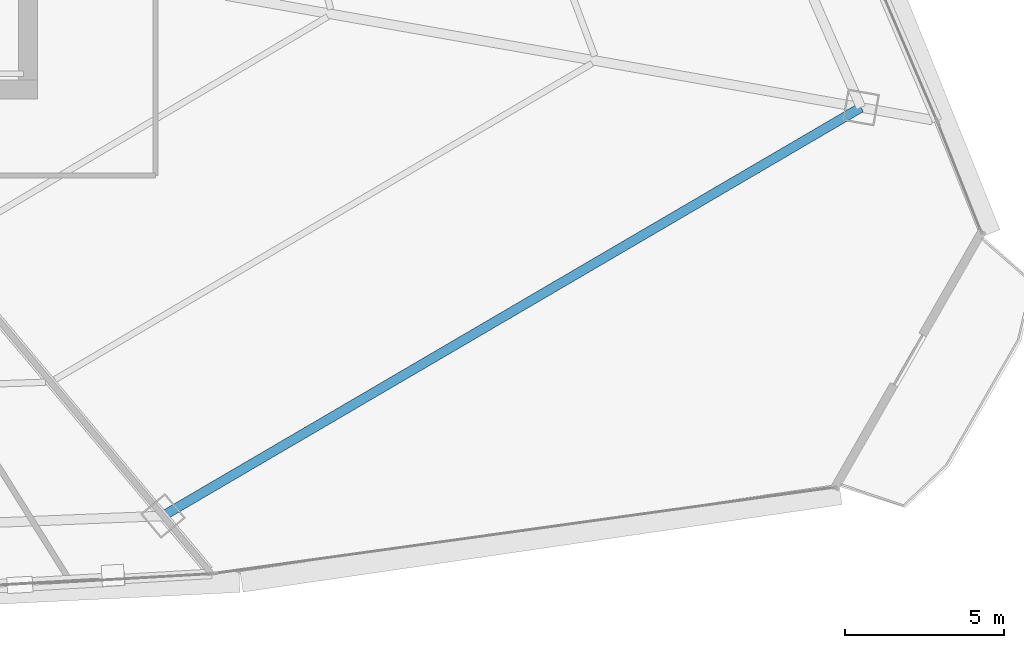
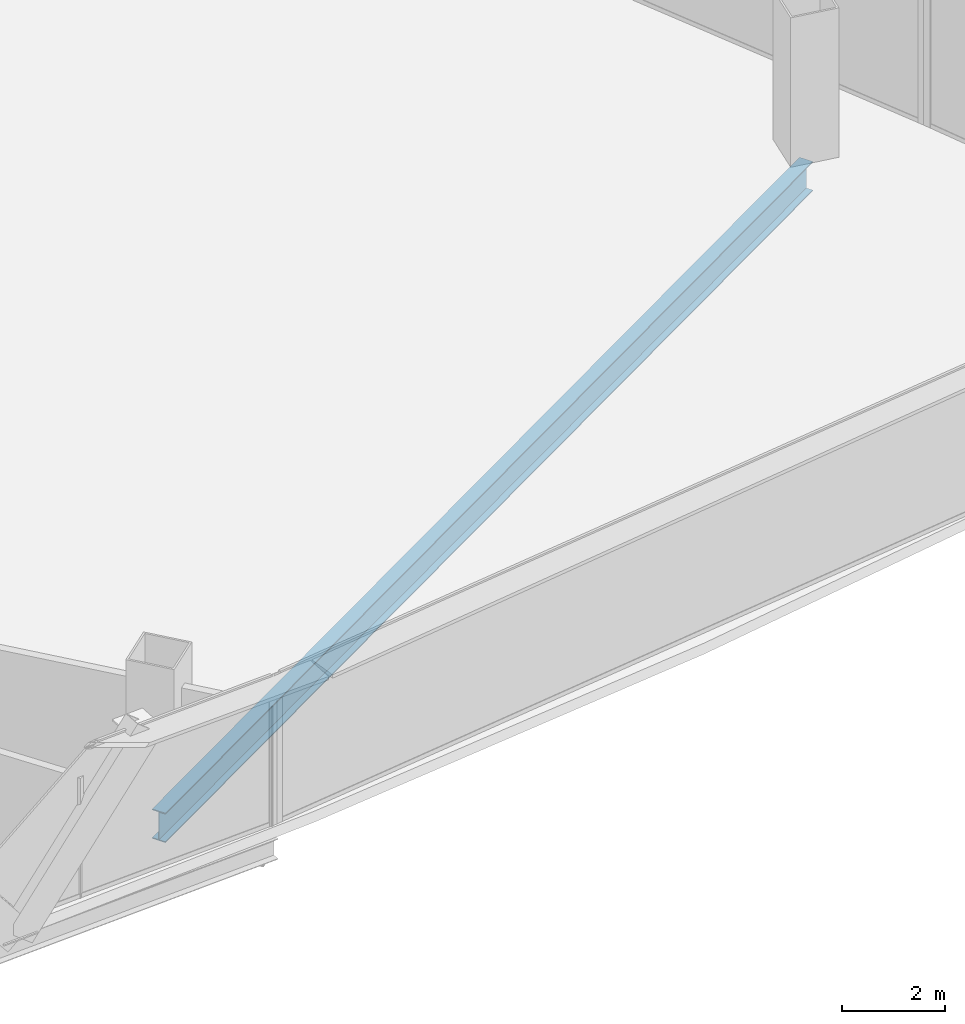
# One storey, part 21 of 37: 1 beam.
"""IFC4 building model written with IfcOpenShell, lengths in metres."""

from ifc_helpers import new_model, si_unit, direction, frame, origin, origin_2d, place, context, subcontext, project, spatial, i_section, extrude, source, transform, mapped, material, material_profile, profile_set, type_object, element, save


model = new_model("IFC4")

# Units and contexts
model_context = context("Model", 3, precision=1e-05, world=origin(), true_north=direction((0.0, 1.0)))
body_context = subcontext(model_context, "Body", "Model", "MODEL_VIEW")
ifc_project = project(units=[si_unit("LENGTHUNIT", "METRE"), si_unit("AREAUNIT", "SQUARE_METRE"), si_unit("VOLUMEUNIT", "CUBIC_METRE"), si_unit("PLANEANGLEUNIT", "RADIAN"), si_unit("MASSUNIT", "GRAM", prefix="KILO"), si_unit("THERMODYNAMICTEMPERATUREUNIT", "KELVIN"), si_unit("POWERUNIT", "WATT")], contexts=[model_context])

# Site, building, storey
site_placement = place(None, origin())
site = spatial("IfcSite", under=ifc_project, at=site_placement, CompositionType="ELEMENT")
building_placement = place(site_placement, origin())
building = spatial("IfcBuilding", under=site, at=building_placement, Name="Yunzhuo Pagoda Commons", CompositionType="ELEMENT")
storey_placement = place(building_placement, frame((0.0, 0.0, 88.780029296875)))
storey = spatial("IfcBuildingStorey", under=building, at=storey_placement, Name="L22", CompositionType="ELEMENT", Elevation=88.780029296875)

# Beam
ifc_material = material(Name="Structural steel Q355B", Category="steel")
ifc_material_profile = material_profile(ifc_material, i_section(OverallWidth=0.300048828125, OverallDepth=0.699951171875, WebThickness=0.012939453125, FlangeThickness=0.02392578125, at=origin_2d()), Name="Structural steel Q355B")
ifc_profile_set = profile_set([ifc_material_profile], Name="Structural steel Q355B")
beam_type = type_object("IfcBeamType", Name="B-RG1 Beam HN 700x300x13x24", PredefinedType="BEAM", material=ifc_profile_set)
shared_shape = source(origin(), body_context, "Body", "SweptSolid", [
    extrude(i_section(OverallWidth=0.300048828125, OverallDepth=0.699951171875, WebThickness=0.012939453125, FlangeThickness=0.02392578125, at=origin_2d()), origin(), (0.0, 0.0, 1.0), 25.3935546875),
])
beam_placement = place(storey_placement, frame((64.43603515625, 14.1123046875, -0.610107421875), z_axis=(0.863085207128, 0.505058338449, 0.0), x_axis=(-0.505058338449, 0.863085207128, 0.0)))
element("IfcBeam", 1, at=beam_placement, inside=storey, type_object=beam_type, Name="L22 column-ring beam 4", PredefinedType="BEAM", context=body_context, shape_type="MappedRepresentation", body=[
    mapped(shared_shape, transform((0.0, 0.0, 0.0), scale=1.0)),
])

save(model, "model.ifc")
